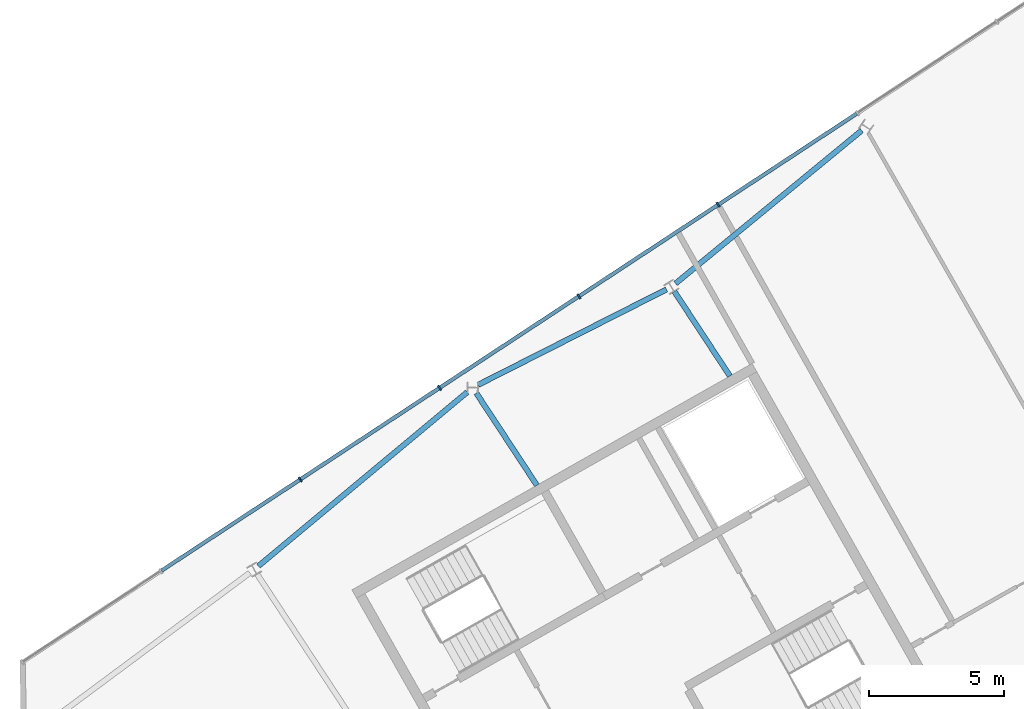
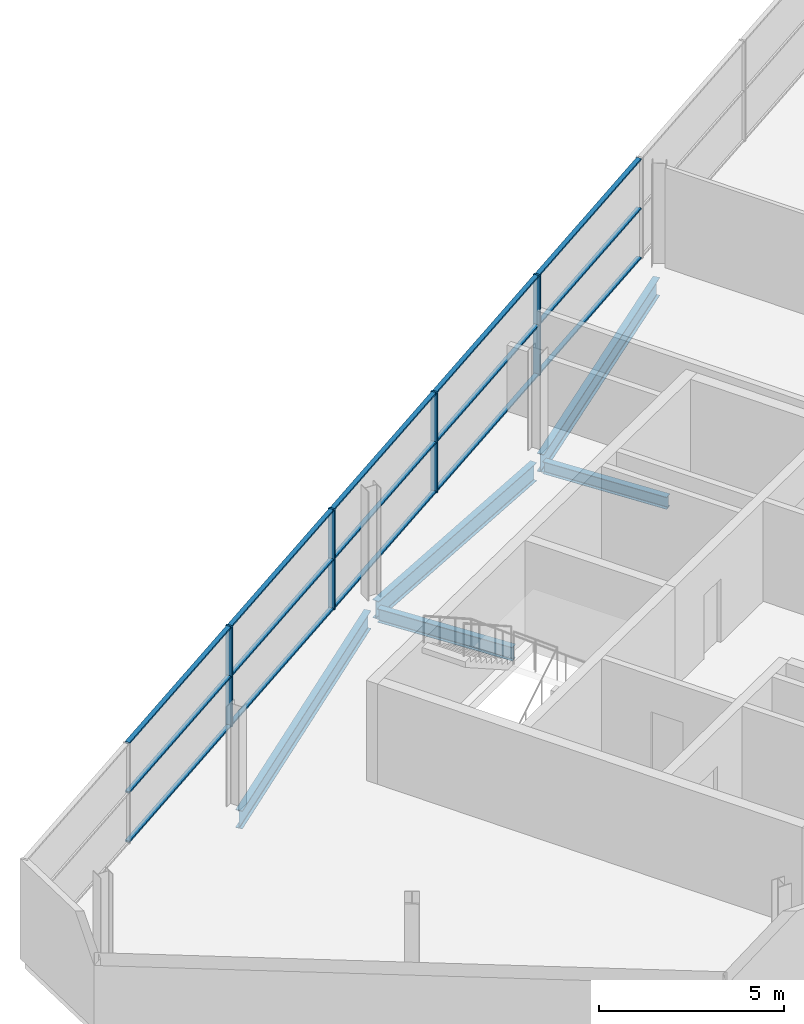
# One storey, part 4 of 8: 19 members, 5 beams, 1 element without a shape of its own.
"""IFC4 building model written with IfcOpenShell, lengths in metres."""

import ifcopenshell
import ifcopenshell.guid

model = None  # the IFC model being written
_history = None  # IfcOwnerHistory: only IFC2X3 demands one
_inside = {}  # id of a spatial element -> (the spatial element, [elements in it])
_under = {}  # id of a project, library or spatial element -> (it, [spatial elements below it])
_declared = {}  # id of a project -> (the project, [libraries it declares])
_typed = {}  # id of a type object -> (the type object, [elements of that type])
_made_of = {}  # id of a material, layer set ... -> (it, [elements and type objects made of it])


def new_model(schema):
    """Start an empty IFC model of exactly this schema.

    Asked for "IFC4X3", IfcOpenShell would pick the latest addendum, in which some entities
    have other attributes; the version numbers below select the first issue.
    IFC2X3 requires an IfcOwnerHistory on every rooted entity: one is made here for all.
    """
    global model, _history
    if schema == "IFC4X3":
        model = ifcopenshell.file(schema_version=(4, 3, 0, 0))
    else:
        model = ifcopenshell.file(schema=schema)
    _inside.clear()
    _under.clear()
    _declared.clear()
    _typed.clear()
    _made_of.clear()
    _history = None
    if model.schema == "IFC2X3":
        org = make("IfcOrganization", Name="unknown")
        user = make(
            "IfcPersonAndOrganization",
            ThePerson=make("IfcPerson", FamilyName="unknown"),
            TheOrganization=org,
        )
        app = make(
            "IfcApplication",
            ApplicationDeveloper=org,
            Version="unknown",
            ApplicationFullName="unknown",
            ApplicationIdentifier="unknown",
        )
        _history = make(
            "IfcOwnerHistory",
            OwningUser=user,
            OwningApplication=app,
            ChangeAction="ADDED",
            CreationDate=0,
        )
    return model


def make(cls, **values):
    """One entity of the class cls with the attributes given. An attribute that is None is left unset."""
    return model.create_entity(
        cls, **{name: value for name, value in values.items() if value is not None}
    )


def rooted(cls, **values):
    """An entity with a GlobalId (a new one), such as an element, a storey or a relation."""
    return make(cls, GlobalId=ifcopenshell.guid.new(), OwnerHistory=_history, **values)


def si_unit(unit_type, name, prefix=None):
    """IfcSIUnit, for example si_unit("LENGTHUNIT", "METRE", prefix="MILLI")."""
    return make("IfcSIUnit", UnitType=unit_type, Prefix=prefix, Name=name)


def assignment(units):
    """IfcUnitAssignment: the units of a project."""
    return None if units is None else make("IfcUnitAssignment", Units=units)


def point(xyz):
    """IfcCartesianPoint."""
    return None if xyz is None else make("IfcCartesianPoint", Coordinates=xyz)


def direction(xyz):
    """IfcDirection."""
    return None if xyz is None else make("IfcDirection", DirectionRatios=xyz)


def frame(location, z_axis=None, x_axis=None):
    """IfcAxis2Placement3D, a coordinate frame: its origin and axes. An axis left out is left unset."""
    return make(
        "IfcAxis2Placement3D",
        Location=point(location),
        Axis=direction(z_axis),
        RefDirection=direction(x_axis),
    )


def frame_2d(location, x_axis=None):
    """IfcAxis2Placement2D, a coordinate frame in the plane: its origin and x axis."""
    return make(
        "IfcAxis2Placement2D", Location=point(location), RefDirection=direction(x_axis)
    )


def origin():
    """The frame at (0, 0, 0) with its axes left unset."""
    return frame((0.0, 0.0, 0.0))


def origin_2d():
    """The frame at (0, 0) in the plane with its x axis left unset."""
    return frame_2d((0.0, 0.0))


def place(relative_to, where):
    """IfcLocalPlacement: puts the frame where relative to a parent placement (None: the world)."""
    return make(
        "IfcLocalPlacement", PlacementRelTo=relative_to, RelativePlacement=where
    )


def context(
    kind, dimensions, precision=None, world=None, true_north=None, identifier=None
):
    """IfcGeometricRepresentationContext, for example the 3D "Model" context."""
    return make(
        "IfcGeometricRepresentationContext",
        ContextIdentifier=identifier,
        ContextType=kind,
        CoordinateSpaceDimension=dimensions,
        Precision=precision,
        WorldCoordinateSystem=world,
        TrueNorth=true_north,
    )


def subcontext(parent, identifier, kind, view, scale=None):
    """IfcGeometricRepresentationSubContext, for example "Body" below "Model"."""
    return make(
        "IfcGeometricRepresentationSubContext",
        ContextIdentifier=identifier,
        ContextType=kind,
        ParentContext=parent,
        TargetScale=scale,
        TargetView=view,
    )


def project(units=None, contexts=None):
    """IfcProject with its units and contexts."""
    return rooted(
        "IfcProject",
        Name="project",
        RepresentationContexts=contexts,
        UnitsInContext=assignment(units),
    )


def spatial(cls, under=None, at=None, **own):
    """A site, building, storey or space (cls), placed at a placement, below another one or the project."""
    s = rooted(cls, ObjectPlacement=at, **own)
    if under is not None:
        _under.setdefault(under.id(), (under, []))[1].append(s)
    return s


def profile(cls, at=None, kind="AREA", **sizes):
    """A parametric profile (cls). Its sizes go by their IFC names, for example OverallWidth=200.0."""
    return make(cls, ProfileType=kind, Position=at, **sizes)


def rectangle(**sizes):
    """IfcRectangleProfileDef."""
    return profile("IfcRectangleProfileDef", **sizes)


def i_section(**sizes):
    """IfcIShapeProfileDef."""
    return profile("IfcIShapeProfileDef", **sizes)


def extrude(swept, where, along, depth):
    """IfcExtrudedAreaSolid: the profile swept, set in the frame where, extruded along a direction by depth."""
    return make(
        "IfcExtrudedAreaSolid",
        SweptArea=swept,
        Position=where,
        ExtrudedDirection=direction(along),
        Depth=depth,
    )


def shape(context_of_items, identifier, shape_type, items):
    """IfcShapeRepresentation: the items that make up one representation, for example the "Body"."""
    return make(
        "IfcShapeRepresentation",
        ContextOfItems=context_of_items,
        RepresentationIdentifier=identifier,
        RepresentationType=shape_type,
        Items=items,
    )


def material(Name=None, Category=None):
    """IfcMaterial."""
    return make("IfcMaterial", Name=Name, Category=Category)


def material_profile(
    of_material, cross_section, Name=None, Category=None, Priority=None
):
    """IfcMaterialProfile: a cross section and its material."""
    return make(
        "IfcMaterialProfile",
        Name=Name,
        Material=of_material,
        Profile=cross_section,
        Priority=Priority,
        Category=Category,
    )


def profile_set(profiles, Name=None, composite=None):
    """IfcMaterialProfileSet."""
    return make(
        "IfcMaterialProfileSet",
        Name=Name,
        MaterialProfiles=profiles,
        CompositeProfile=composite,
    )


def made_of(thing, what):
    """Note that an element or type object is made of a material, layer set ...; save() writes the relation."""
    if what is not None:
        _made_of.setdefault(what.id(), (what, []))[1].append(thing)
    return thing


def type_object(cls, material=None, **own):
    """A type object (cls), such as IfcWallType, which elements share."""
    return made_of(rooted(cls, **own), material)


def element(
    cls,
    number,
    at=None,
    inside=None,
    cuts=None,
    type_object=None,
    material=None,
    context=None,
    identifier="Body",
    shape_type=None,
    held_by="IfcProductDefinitionShape",
    body=None,
    shapes=None,
    **own,
):
    """One element of the class cls, such as IfcWall. Its Tag is "e" and its number.

    at: its placement. inside: the storey or other place that contains it. cuts: it is an
    opening in that element (IfcRelVoidsElement). A single representation is given by context,
    identifier, shape_type and body (its items); several are given by shapes. held_by: the class
    of the entity that holds the representations. save() writes the other relations.
    """
    e = rooted(cls, Tag="e%d" % number, ObjectPlacement=at, **own)
    if body is not None:
        shapes = [shape(context, identifier, shape_type, body)]
    if shapes is not None:
        e.Representation = make(held_by, Representations=shapes)
    if inside is not None:
        _inside.setdefault(inside.id(), (inside, []))[1].append(e)
    if cuts is not None:
        rooted(
            "IfcRelVoidsElement", RelatingBuildingElement=cuts, RelatedOpeningElement=e
        )
    if type_object is not None:
        _typed.setdefault(type_object.id(), (type_object, []))[1].append(e)
    return made_of(e, material)


def aggregate(whole, parts):
    """IfcRelAggregates: a whole, such as a stair, and the parts it consists of."""
    return rooted("IfcRelAggregates", RelatingObject=whole, RelatedObjects=parts)


def save(model, path):
    """Write the relations noted so far, then the file.

    IfcRelAggregates (storeys below a building ...), IfcRelContainedInSpatialStructure (elements
    in a storey), IfcRelDefinesByType, IfcRelAssociatesMaterial and IfcRelDeclares: one each for
    every whole, place, type object, material and project.
    """
    for whole, parts in _under.values():
        aggregate(whole, parts)
    for where, things in _inside.values():
        rooted(
            "IfcRelContainedInSpatialStructure",
            RelatedElements=things,
            RelatingStructure=where,
        )
    for kind, things in _typed.values():
        rooted("IfcRelDefinesByType", RelatedObjects=things, RelatingType=kind)
    for what, things in _made_of.values():
        rooted("IfcRelAssociatesMaterial", RelatedObjects=things, RelatingMaterial=what)
    for by, libraries in _declared.values():
        rooted("IfcRelDeclares", RelatingContext=by, RelatedDefinitions=libraries)
    model.write(path)


model = new_model("IFC4")

# Units and contexts
model_context = context("Model", 3, precision=1e-05, world=origin(), true_north=direction((0.0, 1.0)))
body_context = subcontext(model_context, "Body", "Model", "MODEL_VIEW")
ifc_project = project(units=[si_unit("LENGTHUNIT", "METRE"), si_unit("AREAUNIT", "SQUARE_METRE"), si_unit("VOLUMEUNIT", "CUBIC_METRE"), si_unit("PLANEANGLEUNIT", "RADIAN"), si_unit("MASSUNIT", "GRAM", prefix="KILO")], contexts=[model_context])

# Site, building, storey
site_placement = place(None, origin())
site = spatial("IfcSite", under=ifc_project, at=site_placement, CompositionType="ELEMENT")
building_placement = place(site_placement, origin())
building = spatial("IfcBuilding", under=site, at=building_placement, Name="Binnacle Exchange Tower", CompositionType="ELEMENT")
storey_placement = place(building_placement, frame((0.0, 0.0, 357.699951171875)))
storey = spatial("IfcBuildingStorey", under=building, at=storey_placement, Name="L82", CompositionType="ELEMENT", Elevation=357.699951171875)

# Curtain wall, members
ifc_material_1 = material(Name="Bronze anodised aluminium frame", Category="aluminium")
curtain_wall_type = type_object("IfcCurtainWallType", Name="External wall - curtain wall crown tiers", PredefinedType="NOTDEFINED", material=ifc_material_1)
curtain_wall_placement = place(storey_placement, origin())
curtain_wall = element("IfcCurtainWall", 1, at=curtain_wall_placement, inside=storey, type_object=curtain_wall_type, Name="External wall curtain wall CW5-C203 L82", PredefinedType="NOTDEFINED")
ifc_material_profile_1 = material_profile(ifc_material_1, rectangle(XDim=0.199951171875, YDim=0.06005859375, at=origin_2d()), Name="AL 60x200")
ifc_profile_set_1 = profile_set([ifc_material_profile_1], Name="Bronze anodised aluminium frame")
member_type_1 = type_object("IfcMemberType", Name="CW5 MULLION 60x200", PredefinedType="MULLION", material=ifc_profile_set_1)
member_1_placement = place(storey_placement, frame((-33.068115234375, 55.9150390625, 0.0), z_axis=(0.0, 0.0, 1.0), x_axis=(0.549310297171, -0.835618452059, 0.0)))
member_1 = element("IfcMember", 2, at=member_1_placement, type_object=member_type_1, Name="CW5-C203 mullion 5", PredefinedType="MULLION", context=body_context, shape_type="SweptSolid", body=[
    extrude(rectangle(XDim=0.199951171875, YDim=0.06005859375, at=origin_2d()), origin(), (0.0, 0.0, 1.0), 3.300048828125),
])
member_2_placement = place(storey_placement, frame((-38.21923828125, 52.52880859375, 0.0), z_axis=(0.0, 0.0, 1.0), x_axis=(0.549310297171, -0.835618452059, 0.0)))
member_2 = element("IfcMember", 3, at=member_2_placement, type_object=member_type_1, Name="CW5-C203 mullion 6", PredefinedType="MULLION", context=body_context, shape_type="SweptSolid", body=[
    extrude(rectangle(XDim=0.199951171875, YDim=0.06005859375, at=origin_2d()), origin(), (0.0, 0.0, 1.0), 3.300048828125),
])
member_3_placement = place(storey_placement, frame((-43.37060546875, 49.142578125, 0.0), z_axis=(0.0, 0.0, 1.0), x_axis=(0.549310297171, -0.835618452059, 0.0)))
member_3 = element("IfcMember", 4, at=member_3_placement, type_object=member_type_1, Name="CW5-C203 mullion 7", PredefinedType="MULLION", context=body_context, shape_type="SweptSolid", body=[
    extrude(rectangle(XDim=0.199951171875, YDim=0.06005859375, at=origin_2d()), origin(), (0.0, 0.0, 1.0), 3.300048828125),
])
member_4_placement = place(storey_placement, frame((-48.521728515625, 45.75634765625, 0.0), z_axis=(0.0, 0.0, 1.0), x_axis=(0.549310297171, -0.835618452059, 0.0)))
member_4 = element("IfcMember", 5, at=member_4_placement, type_object=member_type_1, Name="CW5-C203 mullion 8", PredefinedType="MULLION", context=body_context, shape_type="SweptSolid", body=[
    extrude(rectangle(XDim=0.199951171875, YDim=0.06005859375, at=origin_2d()), origin(), (0.0, 0.0, 1.0), 3.300048828125),
])
ifc_material_profile_2 = material_profile(ifc_material_1, rectangle(XDim=0.139892578125, YDim=0.050048828125, at=origin_2d()), Name="AL 140x50")
ifc_profile_set_2 = profile_set([ifc_material_profile_2], Name="Bronze anodised aluminium frame")
member_type_2 = type_object("IfcMemberType", Name="CW5 TRANSOM 50x140", PredefinedType="USERDEFINED", material=ifc_profile_set_2)
member_5_placement = place(storey_placement, frame((-27.94189453125, 59.284912109375, 0.025146484375), z_axis=(-0.835619987891, -0.549307960835, 0.0), x_axis=(0.549307960835, -0.835619987891, 0.0)))
member_5 = element("IfcMember", 6, at=member_5_placement, type_object=member_type_2, Name="CW5-C203 transom 4.1", ObjectType="TRANSOM", PredefinedType="USERDEFINED", context=body_context, shape_type="SweptSolid", body=[
    extrude(rectangle(XDim=0.139892578125, YDim=0.050048828125, at=origin_2d()), origin(), (0.0, 0.0, 1.0), 6.1044921875),
])
member_6_placement = place(storey_placement, frame((-27.94189453125, 59.284912109375, 1.650146484375), z_axis=(-0.835619987891, -0.549307960835, 0.0), x_axis=(0.549307960835, -0.835619987891, 0.0)))
member_6 = element("IfcMember", 7, at=member_6_placement, type_object=member_type_2, Name="CW5-C203 transom 4.2", ObjectType="TRANSOM", PredefinedType="USERDEFINED", context=body_context, shape_type="SweptSolid", body=[
    extrude(rectangle(XDim=0.139892578125, YDim=0.050048828125, at=origin_2d()), origin(), (0.0, 0.0, 1.0), 6.1044921875),
])
member_7_placement = place(storey_placement, frame((-27.94189453125, 59.284912109375, 3.275146484375), z_axis=(-0.835619987891, -0.549307960835, 0.0), x_axis=(0.549307960835, -0.835619987891, 0.0)))
member_7 = element("IfcMember", 8, at=member_7_placement, type_object=member_type_2, Name="CW5-C203 transom 4.3", ObjectType="TRANSOM", PredefinedType="USERDEFINED", context=body_context, shape_type="SweptSolid", body=[
    extrude(rectangle(XDim=0.139892578125, YDim=0.050048828125, at=origin_2d()), origin(), (0.0, 0.0, 1.0), 6.1044921875),
])
member_8_placement = place(storey_placement, frame((-33.09326171875, 55.898681640625, 0.025146484375), z_axis=(-0.835601630395, -0.549335885666, 0.0), x_axis=(0.549335885666, -0.835601630395, 0.0)))
member_8 = element("IfcMember", 9, at=member_8_placement, type_object=member_type_2, Name="CW5-C203 transom 5.1", ObjectType="TRANSOM", PredefinedType="USERDEFINED", context=body_context, shape_type="SweptSolid", body=[
    extrude(rectangle(XDim=0.139892578125, YDim=0.050048828125, at=origin_2d()), origin(), (0.0, 0.0, 1.0), 6.104736328125),
])
member_9_placement = place(storey_placement, frame((-33.09326171875, 55.898681640625, 1.650146484375), z_axis=(-0.835601630395, -0.549335885666, 0.0), x_axis=(0.549335885666, -0.835601630395, 0.0)))
member_9 = element("IfcMember", 10, at=member_9_placement, type_object=member_type_2, Name="CW5-C203 transom 5.2", ObjectType="TRANSOM", PredefinedType="USERDEFINED", context=body_context, shape_type="SweptSolid", body=[
    extrude(rectangle(XDim=0.139892578125, YDim=0.050048828125, at=origin_2d()), origin(), (0.0, 0.0, 1.0), 6.104736328125),
])
member_10_placement = place(storey_placement, frame((-33.09326171875, 55.898681640625, 3.275146484375), z_axis=(-0.835601630395, -0.549335885666, 0.0), x_axis=(0.549335885666, -0.835601630395, 0.0)))
member_10 = element("IfcMember", 11, at=member_10_placement, type_object=member_type_2, Name="CW5-C203 transom 5.3", ObjectType="TRANSOM", PredefinedType="USERDEFINED", context=body_context, shape_type="SweptSolid", body=[
    extrude(rectangle(XDim=0.139892578125, YDim=0.050048828125, at=origin_2d()), origin(), (0.0, 0.0, 1.0), 6.104736328125),
])
member_11_placement = place(storey_placement, frame((-38.244384765625, 52.51220703125, 0.025146484375), z_axis=(-0.835619987891, -0.549307960835, 0.0), x_axis=(0.549307960835, -0.835619987891, 0.0)))
member_11 = element("IfcMember", 12, at=member_11_placement, type_object=member_type_2, Name="CW5-C203 transom 6.1", ObjectType="TRANSOM", PredefinedType="USERDEFINED", context=body_context, shape_type="SweptSolid", body=[
    extrude(rectangle(XDim=0.139892578125, YDim=0.050048828125, at=origin_2d()), origin(), (0.0, 0.0, 1.0), 6.1044921875),
])
member_12_placement = place(storey_placement, frame((-38.244384765625, 52.51220703125, 1.650146484375), z_axis=(-0.835619987891, -0.549307960835, 0.0), x_axis=(0.549307960835, -0.835619987891, 0.0)))
member_12 = element("IfcMember", 13, at=member_12_placement, type_object=member_type_2, Name="CW5-C203 transom 6.2", ObjectType="TRANSOM", PredefinedType="USERDEFINED", context=body_context, shape_type="SweptSolid", body=[
    extrude(rectangle(XDim=0.139892578125, YDim=0.050048828125, at=origin_2d()), origin(), (0.0, 0.0, 1.0), 6.1044921875),
])
member_13_placement = place(storey_placement, frame((-38.244384765625, 52.51220703125, 3.275146484375), z_axis=(-0.835619987891, -0.549307960835, 0.0), x_axis=(0.549307960835, -0.835619987891, 0.0)))
member_13 = element("IfcMember", 14, at=member_13_placement, type_object=member_type_2, Name="CW5-C203 transom 6.3", ObjectType="TRANSOM", PredefinedType="USERDEFINED", context=body_context, shape_type="SweptSolid", body=[
    extrude(rectangle(XDim=0.139892578125, YDim=0.050048828125, at=origin_2d()), origin(), (0.0, 0.0, 1.0), 6.1044921875),
])
member_14_placement = place(storey_placement, frame((-43.395751953125, 49.1259765625, 0.025146484375), z_axis=(-0.835619987891, -0.549307960835, 0.0), x_axis=(0.549307960835, -0.835619987891, 0.0)))
member_14 = element("IfcMember", 15, at=member_14_placement, type_object=member_type_2, Name="CW5-C203 transom 7.1", ObjectType="TRANSOM", PredefinedType="USERDEFINED", context=body_context, shape_type="SweptSolid", body=[
    extrude(rectangle(XDim=0.139892578125, YDim=0.050048828125, at=origin_2d()), origin(), (0.0, 0.0, 1.0), 6.1044921875),
])
member_15_placement = place(storey_placement, frame((-43.395751953125, 49.1259765625, 1.650146484375), z_axis=(-0.835619987891, -0.549307960835, 0.0), x_axis=(0.549307960835, -0.835619987891, 0.0)))
member_15 = element("IfcMember", 16, at=member_15_placement, type_object=member_type_2, Name="CW5-C203 transom 7.2", ObjectType="TRANSOM", PredefinedType="USERDEFINED", context=body_context, shape_type="SweptSolid", body=[
    extrude(rectangle(XDim=0.139892578125, YDim=0.050048828125, at=origin_2d()), origin(), (0.0, 0.0, 1.0), 6.1044921875),
])
member_16_placement = place(storey_placement, frame((-43.395751953125, 49.1259765625, 3.275146484375), z_axis=(-0.835619987891, -0.549307960835, 0.0), x_axis=(0.549307960835, -0.835619987891, 0.0)))
member_16 = element("IfcMember", 17, at=member_16_placement, type_object=member_type_2, Name="CW5-C203 transom 7.3", ObjectType="TRANSOM", PredefinedType="USERDEFINED", context=body_context, shape_type="SweptSolid", body=[
    extrude(rectangle(XDim=0.139892578125, YDim=0.050048828125, at=origin_2d()), origin(), (0.0, 0.0, 1.0), 6.1044921875),
])
member_17_placement = place(storey_placement, frame((-48.546875, 45.73974609375, 0.025146484375), z_axis=(-0.835619987891, -0.549307960835, 0.0), x_axis=(0.549307960835, -0.835619987891, 0.0)))
member_17 = element("IfcMember", 18, at=member_17_placement, type_object=member_type_2, Name="CW5-C203 transom 8.1", ObjectType="TRANSOM", PredefinedType="USERDEFINED", context=body_context, shape_type="SweptSolid", body=[
    extrude(rectangle(XDim=0.139892578125, YDim=0.050048828125, at=origin_2d()), origin(), (0.0, 0.0, 1.0), 6.1044921875),
])
member_18_placement = place(storey_placement, frame((-48.546875, 45.73974609375, 1.650146484375), z_axis=(-0.835619987891, -0.549307960835, 0.0), x_axis=(0.549307960835, -0.835619987891, 0.0)))
member_18 = element("IfcMember", 19, at=member_18_placement, type_object=member_type_2, Name="CW5-C203 transom 8.2", ObjectType="TRANSOM", PredefinedType="USERDEFINED", context=body_context, shape_type="SweptSolid", body=[
    extrude(rectangle(XDim=0.139892578125, YDim=0.050048828125, at=origin_2d()), origin(), (0.0, 0.0, 1.0), 6.1044921875),
])
member_19_placement = place(storey_placement, frame((-48.546875, 45.73974609375, 3.275146484375), z_axis=(-0.835619987891, -0.549307960835, 0.0), x_axis=(0.549307960835, -0.835619987891, 0.0)))
member_19 = element("IfcMember", 20, at=member_19_placement, type_object=member_type_2, Name="CW5-C203 transom 8.3", ObjectType="TRANSOM", PredefinedType="USERDEFINED", context=body_context, shape_type="SweptSolid", body=[
    extrude(rectangle(XDim=0.139892578125, YDim=0.050048828125, at=origin_2d()), origin(), (0.0, 0.0, 1.0), 6.1044921875),
])
aggregate(curtain_wall, [member_1, member_2, member_3, member_4, member_5, member_6, member_7, member_8, member_9, member_10, member_11, member_12, member_13, member_14, member_15, member_16, member_17, member_18, member_19])

# Beams
ifc_material_2 = material(Name="Steel S355 (SHN355)", Category="steel")
ifc_material_profile_3 = material_profile(ifc_material_2, i_section(OverallWidth=0.199951171875, OverallDepth=0.60009765625, WebThickness=0.010986328125, FlangeThickness=0.01708984375, FilletRadius=0.02197265625, at=origin_2d()), Name="H 600x200x11x17")
ifc_profile_set_3 = profile_set([ifc_material_profile_3], Name="Steel S355 (SHN355)")
beam_type_1 = type_object("IfcBeamType", Name="Edge girder H 600x200x11x17 Steel S355 (SHN355)", PredefinedType="SPANDREL", material=ifc_profile_set_3)
beam_1_placement = place(storey_placement, frame((-42.347412109375, 48.98388671875, -0.599853515625), z_axis=(-0.768448235028, -0.639911954946, 0.0), x_axis=(0.639911954946, -0.768448235028, 0.0)))
element("IfcBeam", 21, at=beam_1_placement, inside=storey, type_object=beam_type_1, Name="S:BM:edge:L82:007", PredefinedType="SPANDREL", context=body_context, shape_type="SweptSolid", body=[
    extrude(i_section(OverallWidth=0.199951171875, OverallDepth=0.60009765625, WebThickness=0.010986328125, FlangeThickness=0.01708984375, FilletRadius=0.02197265625, at=origin_2d()), origin(), (0.0, 0.0, 1.0), 10.049560546875),
])
beam_2_placement = place(storey_placement, frame((-34.97705078125, 52.78466796875, -0.599853515625), z_axis=(-0.892013085202, -0.45200957493, 0.0), x_axis=(0.45200957493, -0.892013085202, 0.0)))
element("IfcBeam", 22, at=beam_2_placement, inside=storey, type_object=beam_type_1, Name="S:BM:edge:L82:009", PredefinedType="SPANDREL", context=body_context, shape_type="SweptSolid", body=[
    extrude(i_section(OverallWidth=0.199951171875, OverallDepth=0.60009765625, WebThickness=0.010986328125, FlangeThickness=0.01708984375, FilletRadius=0.02197265625, at=origin_2d()), origin(), (0.0, 0.0, 1.0), 7.80859375),
])
beam_3_placement = place(storey_placement, frame((-27.759521484375, 58.66015625, -0.599853515625), z_axis=(-0.772563492053, -0.634937517199, 0.0), x_axis=(0.634937517199, -0.772563492053, 0.0)))
element("IfcBeam", 23, at=beam_3_placement, inside=storey, type_object=beam_type_1, Name="S:BM:edge:L82:011", PredefinedType="SPANDREL", context=body_context, shape_type="SweptSolid", body=[
    extrude(i_section(OverallWidth=0.199951171875, OverallDepth=0.60009765625, WebThickness=0.010986328125, FlangeThickness=0.01708984375, FilletRadius=0.02197265625, at=origin_2d()), origin(), (0.0, 0.0, 1.0), 8.90869140625),
])
ifc_material_profile_4 = material_profile(ifc_material_2, i_section(OverallWidth=0.199951171875, OverallDepth=0.39990234375, WebThickness=0.008056640625, FlangeThickness=0.012939453125, FilletRadius=0.01611328125, at=origin_2d()), Name="H 400x200x8x13")
ifc_profile_set_4 = profile_set([ifc_material_profile_4], Name="Steel S355 (SHN355)")
beam_type_2 = type_object("IfcBeamType", Name="Floor beam H 400x200x8x13 Steel S355 (SHN355)", PredefinedType="BEAM", material=ifc_profile_set_4)
beam_4_placement = place(storey_placement, frame((-34.688232421875, 52.708251953125, -0.5), z_axis=(0.549300218626, -0.835625077303, 0.0), x_axis=(0.835625077303, 0.549300218626, 0.0)))
element("IfcBeam", 24, at=beam_4_placement, inside=storey, type_object=beam_type_2, Name="S:BM:cross:L82:020", PredefinedType="BEAM", context=body_context, shape_type="SweptSolid", body=[
    extrude(i_section(OverallWidth=0.199951171875, OverallDepth=0.39990234375, WebThickness=0.008056640625, FlangeThickness=0.012939453125, FilletRadius=0.01611328125, at=origin_2d()), origin(), (0.0, 0.0, 1.0), 3.7431640625),
])
ifc_material_profile_5 = material_profile(ifc_material_2, i_section(OverallWidth=0.199951171875, OverallDepth=0.449951171875, WebThickness=0.009033203125, FlangeThickness=0.013916015625, FilletRadius=0.01806640625, at=origin_2d()), Name="H 450x200x9x14")
ifc_profile_set_5 = profile_set([ifc_material_profile_5], Name="Steel S355 (SHN355)")
beam_type_3 = type_object("IfcBeamType", Name="Floor beam H 450x200x9x14 Steel S355 (SHN355)", PredefinedType="BEAM", material=ifc_profile_set_5)
beam_5_placement = place(storey_placement, frame((-42.01123046875, 48.950439453125, -0.52490234375), z_axis=(0.549302084426, -0.835623850812, 0.0), x_axis=(0.835623850812, 0.549302084426, 0.0)))
element("IfcBeam", 25, at=beam_5_placement, inside=storey, type_object=beam_type_3, Name="S:BM:cross:L82:018", PredefinedType="BEAM", context=body_context, shape_type="SweptSolid", body=[
    extrude(i_section(OverallWidth=0.199951171875, OverallDepth=0.449951171875, WebThickness=0.009033203125, FlangeThickness=0.013916015625, FilletRadius=0.01806640625, at=origin_2d()), origin(), (0.0, 0.0, 1.0), 4.0791015625),
])

save(model, "model.ifc")
